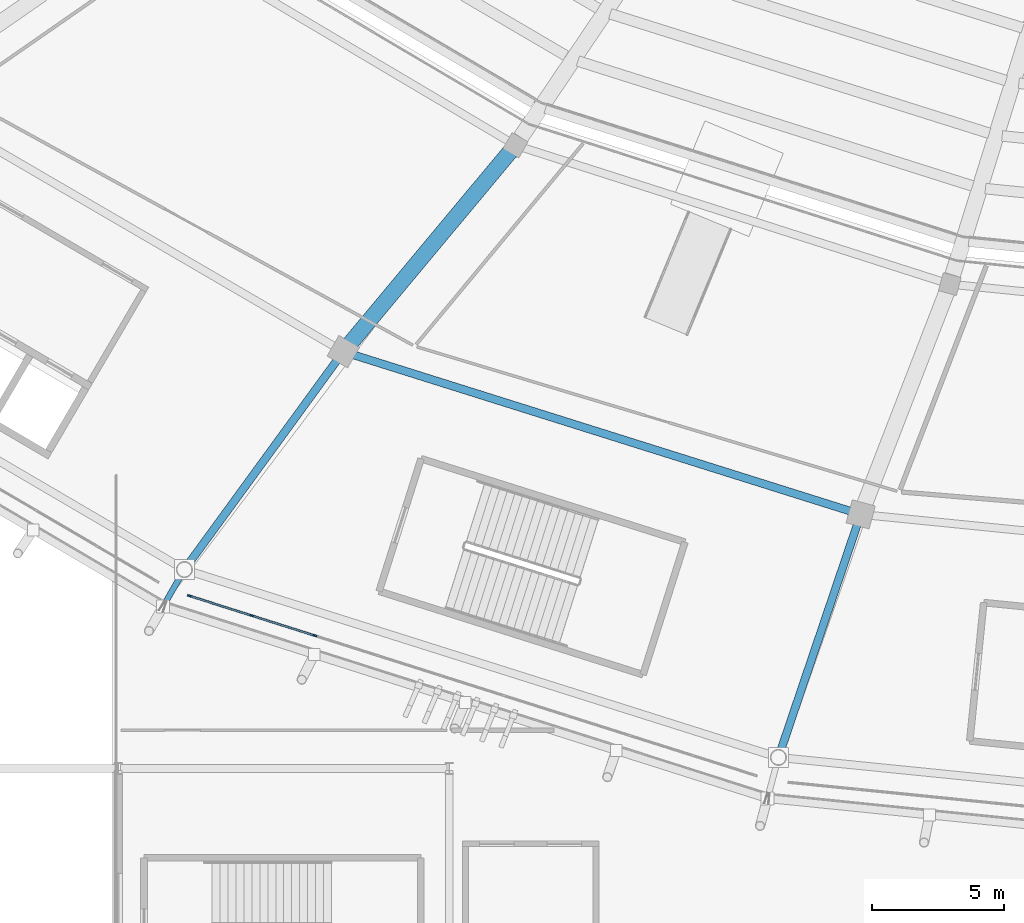
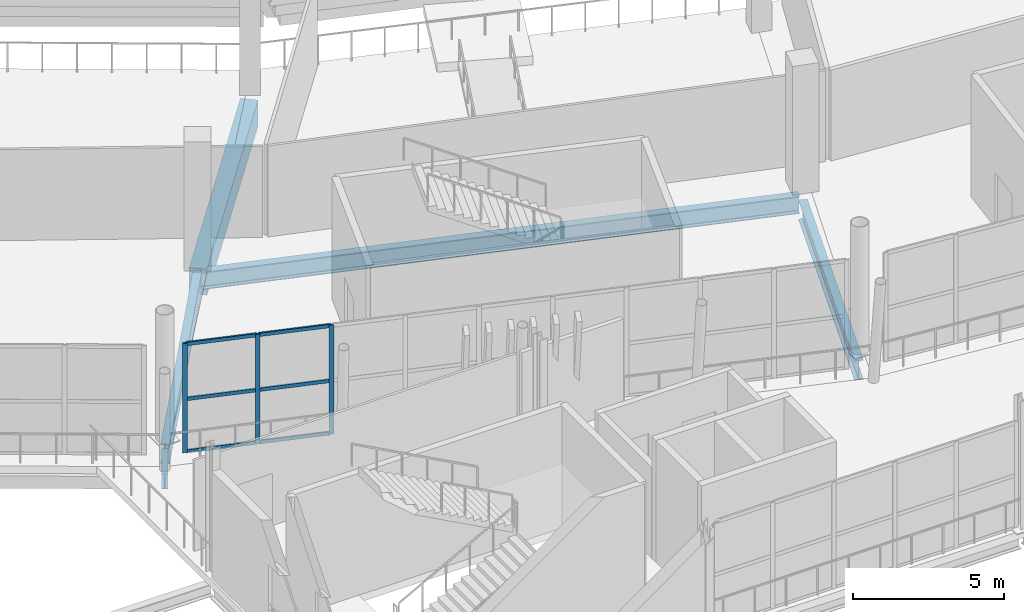
# One storey, part 34 of 178: 9 members, 5 beams, 1 element without a shape of its own.
"""IFC4 building model written with IfcOpenShell, lengths in metres."""

import ifcopenshell
import ifcopenshell.guid

model = None  # the IFC model being written
_history = None  # IfcOwnerHistory: only IFC2X3 demands one
_inside = {}  # id of a spatial element -> (the spatial element, [elements in it])
_under = {}  # id of a project, library or spatial element -> (it, [spatial elements below it])
_declared = {}  # id of a project -> (the project, [libraries it declares])
_typed = {}  # id of a type object -> (the type object, [elements of that type])
_made_of = {}  # id of a material, layer set ... -> (it, [elements and type objects made of it])


def new_model(schema):
    """Start an empty IFC model of exactly this schema.

    Asked for "IFC4X3", IfcOpenShell would pick the latest addendum, in which some entities
    have other attributes; the version numbers below select the first issue.
    IFC2X3 requires an IfcOwnerHistory on every rooted entity: one is made here for all.
    """
    global model, _history
    if schema == "IFC4X3":
        model = ifcopenshell.file(schema_version=(4, 3, 0, 0))
    else:
        model = ifcopenshell.file(schema=schema)
    _inside.clear()
    _under.clear()
    _declared.clear()
    _typed.clear()
    _made_of.clear()
    _history = None
    if model.schema == "IFC2X3":
        org = make("IfcOrganization", Name="unknown")
        user = make(
            "IfcPersonAndOrganization",
            ThePerson=make("IfcPerson", FamilyName="unknown"),
            TheOrganization=org,
        )
        app = make(
            "IfcApplication",
            ApplicationDeveloper=org,
            Version="unknown",
            ApplicationFullName="unknown",
            ApplicationIdentifier="unknown",
        )
        _history = make(
            "IfcOwnerHistory",
            OwningUser=user,
            OwningApplication=app,
            ChangeAction="ADDED",
            CreationDate=0,
        )
    return model


def make(cls, **values):
    """One entity of the class cls with the attributes given. An attribute that is None is left unset."""
    return model.create_entity(
        cls, **{name: value for name, value in values.items() if value is not None}
    )


def rooted(cls, **values):
    """An entity with a GlobalId (a new one), such as an element, a storey or a relation."""
    return make(cls, GlobalId=ifcopenshell.guid.new(), OwnerHistory=_history, **values)


def si_unit(unit_type, name, prefix=None):
    """IfcSIUnit, for example si_unit("LENGTHUNIT", "METRE", prefix="MILLI")."""
    return make("IfcSIUnit", UnitType=unit_type, Prefix=prefix, Name=name)


def assignment(units):
    """IfcUnitAssignment: the units of a project."""
    return None if units is None else make("IfcUnitAssignment", Units=units)


def point(xyz):
    """IfcCartesianPoint."""
    return None if xyz is None else make("IfcCartesianPoint", Coordinates=xyz)


def direction(xyz):
    """IfcDirection."""
    return None if xyz is None else make("IfcDirection", DirectionRatios=xyz)


def frame(location, z_axis=None, x_axis=None):
    """IfcAxis2Placement3D, a coordinate frame: its origin and axes. An axis left out is left unset."""
    return make(
        "IfcAxis2Placement3D",
        Location=point(location),
        Axis=direction(z_axis),
        RefDirection=direction(x_axis),
    )


def frame_2d(location, x_axis=None):
    """IfcAxis2Placement2D, a coordinate frame in the plane: its origin and x axis."""
    return make(
        "IfcAxis2Placement2D", Location=point(location), RefDirection=direction(x_axis)
    )


def origin():
    """The frame at (0, 0, 0) with its axes left unset."""
    return frame((0.0, 0.0, 0.0))


def origin_2d():
    """The frame at (0, 0) in the plane with its x axis left unset."""
    return frame_2d((0.0, 0.0))


def place(relative_to, where):
    """IfcLocalPlacement: puts the frame where relative to a parent placement (None: the world)."""
    return make(
        "IfcLocalPlacement", PlacementRelTo=relative_to, RelativePlacement=where
    )


def context(
    kind, dimensions, precision=None, world=None, true_north=None, identifier=None
):
    """IfcGeometricRepresentationContext, for example the 3D "Model" context."""
    return make(
        "IfcGeometricRepresentationContext",
        ContextIdentifier=identifier,
        ContextType=kind,
        CoordinateSpaceDimension=dimensions,
        Precision=precision,
        WorldCoordinateSystem=world,
        TrueNorth=true_north,
    )


def subcontext(parent, identifier, kind, view, scale=None):
    """IfcGeometricRepresentationSubContext, for example "Body" below "Model"."""
    return make(
        "IfcGeometricRepresentationSubContext",
        ContextIdentifier=identifier,
        ContextType=kind,
        ParentContext=parent,
        TargetScale=scale,
        TargetView=view,
    )


def project(units=None, contexts=None):
    """IfcProject with its units and contexts."""
    return rooted(
        "IfcProject",
        Name="project",
        RepresentationContexts=contexts,
        UnitsInContext=assignment(units),
    )


def spatial(cls, under=None, at=None, **own):
    """A site, building, storey or space (cls), placed at a placement, below another one or the project."""
    s = rooted(cls, ObjectPlacement=at, **own)
    if under is not None:
        _under.setdefault(under.id(), (under, []))[1].append(s)
    return s


def profile(cls, at=None, kind="AREA", **sizes):
    """A parametric profile (cls). Its sizes go by their IFC names, for example OverallWidth=200.0."""
    return make(cls, ProfileType=kind, Position=at, **sizes)


def rectangle(**sizes):
    """IfcRectangleProfileDef."""
    return profile("IfcRectangleProfileDef", **sizes)


def i_section(**sizes):
    """IfcIShapeProfileDef."""
    return profile("IfcIShapeProfileDef", **sizes)


def extrude(swept, where, along, depth):
    """IfcExtrudedAreaSolid: the profile swept, set in the frame where, extruded along a direction by depth."""
    return make(
        "IfcExtrudedAreaSolid",
        SweptArea=swept,
        Position=where,
        ExtrudedDirection=direction(along),
        Depth=depth,
    )


def shape(context_of_items, identifier, shape_type, items):
    """IfcShapeRepresentation: the items that make up one representation, for example the "Body"."""
    return make(
        "IfcShapeRepresentation",
        ContextOfItems=context_of_items,
        RepresentationIdentifier=identifier,
        RepresentationType=shape_type,
        Items=items,
    )


def material(Name=None, Category=None):
    """IfcMaterial."""
    return make("IfcMaterial", Name=Name, Category=Category)


def material_profile(
    of_material, cross_section, Name=None, Category=None, Priority=None
):
    """IfcMaterialProfile: a cross section and its material."""
    return make(
        "IfcMaterialProfile",
        Name=Name,
        Material=of_material,
        Profile=cross_section,
        Priority=Priority,
        Category=Category,
    )


def profile_set(profiles, Name=None, composite=None):
    """IfcMaterialProfileSet."""
    return make(
        "IfcMaterialProfileSet",
        Name=Name,
        MaterialProfiles=profiles,
        CompositeProfile=composite,
    )


def made_of(thing, what):
    """Note that an element or type object is made of a material, layer set ...; save() writes the relation."""
    if what is not None:
        _made_of.setdefault(what.id(), (what, []))[1].append(thing)
    return thing


def type_object(cls, material=None, **own):
    """A type object (cls), such as IfcWallType, which elements share."""
    return made_of(rooted(cls, **own), material)


def element(
    cls,
    number,
    at=None,
    inside=None,
    cuts=None,
    type_object=None,
    material=None,
    context=None,
    identifier="Body",
    shape_type=None,
    held_by="IfcProductDefinitionShape",
    body=None,
    shapes=None,
    **own,
):
    """One element of the class cls, such as IfcWall. Its Tag is "e" and its number.

    at: its placement. inside: the storey or other place that contains it. cuts: it is an
    opening in that element (IfcRelVoidsElement). A single representation is given by context,
    identifier, shape_type and body (its items); several are given by shapes. held_by: the class
    of the entity that holds the representations. save() writes the other relations.
    """
    e = rooted(cls, Tag="e%d" % number, ObjectPlacement=at, **own)
    if body is not None:
        shapes = [shape(context, identifier, shape_type, body)]
    if shapes is not None:
        e.Representation = make(held_by, Representations=shapes)
    if inside is not None:
        _inside.setdefault(inside.id(), (inside, []))[1].append(e)
    if cuts is not None:
        rooted(
            "IfcRelVoidsElement", RelatingBuildingElement=cuts, RelatedOpeningElement=e
        )
    if type_object is not None:
        _typed.setdefault(type_object.id(), (type_object, []))[1].append(e)
    return made_of(e, material)


def aggregate(whole, parts):
    """IfcRelAggregates: a whole, such as a stair, and the parts it consists of."""
    return rooted("IfcRelAggregates", RelatingObject=whole, RelatedObjects=parts)


def save(model, path):
    """Write the relations noted so far, then the file.

    IfcRelAggregates (storeys below a building ...), IfcRelContainedInSpatialStructure (elements
    in a storey), IfcRelDefinesByType, IfcRelAssociatesMaterial and IfcRelDeclares: one each for
    every whole, place, type object, material and project.
    """
    for whole, parts in _under.values():
        aggregate(whole, parts)
    for where, things in _inside.values():
        rooted(
            "IfcRelContainedInSpatialStructure",
            RelatedElements=things,
            RelatingStructure=where,
        )
    for kind, things in _typed.values():
        rooted("IfcRelDefinesByType", RelatedObjects=things, RelatingType=kind)
    for what, things in _made_of.values():
        rooted("IfcRelAssociatesMaterial", RelatedObjects=things, RelatingMaterial=what)
    for by, libraries in _declared.values():
        rooted("IfcRelDeclares", RelatingContext=by, RelatedDefinitions=libraries)
    model.write(path)


model = new_model("IFC4")

# Units and contexts
model_context = context("Model", 3, precision=1e-05, world=origin(), true_north=direction((0.0, 1.0)))
body_context = subcontext(model_context, "Body", "Model", "MODEL_VIEW")
ifc_project = project(units=[si_unit("LENGTHUNIT", "METRE"), si_unit("AREAUNIT", "SQUARE_METRE"), si_unit("VOLUMEUNIT", "CUBIC_METRE"), si_unit("PLANEANGLEUNIT", "RADIAN"), si_unit("MASSUNIT", "GRAM", prefix="KILO")], contexts=[model_context])

# Site, building, storey
site_placement = place(None, origin())
site = spatial("IfcSite", under=ifc_project, at=site_placement, CompositionType="ELEMENT")
building_placement = place(site_placement, origin())
building = spatial("IfcBuilding", under=site, at=building_placement, Name="Zlatoyarsky Gate Stadium", CompositionType="ELEMENT")
storey_placement = place(building_placement, frame((0.0, 0.0, 5.39990234375)))
storey = spatial("IfcBuildingStorey", under=building, at=storey_placement, Name="L01", CompositionType="ELEMENT", Elevation=5.39990234375)

# Curtain wall, members
ifc_material_1 = material(Name="Thermally broken anodised aluminium curtain wall", Category="aluminium")
curtain_wall_type = type_object("IfcCurtainWallType", Name="UNITISED HOSPITALITY GLAZING L01", PredefinedType="USERDEFINED", material=ifc_material_1)
curtain_wall_placement = place(storey_placement, origin())
curtain_wall = element("IfcCurtainWall", 1, at=curtain_wall_placement, inside=storey, type_object=curtain_wall_type, Name="Curtain wall CW-L01-16", ObjectType="UNITISED GLAZING", PredefinedType="USERDEFINED")
ifc_material_2 = material(Name="Anodised aluminium 6063-T6", Category="aluminium")
ifc_material_profile_1 = material_profile(ifc_material_2, rectangle(XDim=0.06494140625, YDim=0.159912109375, at=origin_2d()), Name="ALU 65X160")
ifc_profile_set_1 = profile_set([ifc_material_profile_1], Name="Anodised aluminium 6063-T6")
member_type_1 = type_object("IfcMemberType", Name="ALUMINIUM MULLION 65X160", PredefinedType="MULLION", material=ifc_profile_set_1)
member_1_placement = place(storey_placement, frame((64.6962890625, 17.51904296875, 0.0), z_axis=(0.0, 0.0, 1.0), x_axis=(0.302333944964, 0.953202069722, 0.0)))
member_1 = element("IfcMember", 2, at=member_1_placement, type_object=member_type_1, Name="CW-UG1 mullion 1", PredefinedType="MULLION", context=body_context, shape_type="SweptSolid", body=[
    extrude(rectangle(XDim=0.06494140625, YDim=0.159912109375, at=origin_2d()), origin(), (0.0, 0.0, 1.0), 4.400146484375),
])
member_2_placement = place(storey_placement, frame((67.044189453125, 16.7744140625, 0.0), z_axis=(0.0, 0.0, 1.0), x_axis=(0.302333944964, 0.953202069722, 0.0)))
member_2 = element("IfcMember", 3, at=member_2_placement, type_object=member_type_1, Name="CW-UG1 mullion 2", PredefinedType="MULLION", context=body_context, shape_type="SweptSolid", body=[
    extrude(rectangle(XDim=0.06494140625, YDim=0.159912109375, at=origin_2d()), origin(), (0.0, 0.0, 1.0), 4.400146484375),
])
member_3_placement = place(storey_placement, frame((69.423095703125, 16.019775390625, 0.0), z_axis=(0.0, 0.0, 1.0), x_axis=(0.302333944964, 0.953202069722, 0.0)))
member_3 = element("IfcMember", 4, at=member_3_placement, type_object=member_type_1, Name="CW-UG1 mullion 3", PredefinedType="MULLION", context=body_context, shape_type="SweptSolid", body=[
    extrude(rectangle(XDim=0.06494140625, YDim=0.159912109375, at=origin_2d()), origin(), (0.0, 0.0, 1.0), 4.400146484375),
])
ifc_material_profile_2 = material_profile(ifc_material_2, rectangle(XDim=0.06494140625, YDim=0.139892578125, at=origin_2d()), Name="ALU 65X140")
ifc_profile_set_2 = profile_set([ifc_material_profile_2], Name="Anodised aluminium 6063-T6")
member_type_2 = type_object("IfcMemberType", Name="ALUMINIUM TRANSOM 65X140", PredefinedType="USERDEFINED", material=ifc_profile_set_2)
member_4_placement = place(storey_placement, frame((64.727294921875, 17.50927734375, 0.03271484375), z_axis=(0.953194146276, -0.302358924964, 0.0), x_axis=(0.302358924964, 0.953194146276, 0.0)))
member_4 = element("IfcMember", 5, at=member_4_placement, type_object=member_type_2, Name="CW-UG1 transom 1.1", ObjectType="TRANSOM", PredefinedType="USERDEFINED", context=body_context, shape_type="SweptSolid", body=[
    extrude(rectangle(XDim=0.06494140625, YDim=0.139892578125, at=origin_2d()), origin(), (0.0, 0.0, 1.0), 2.398193359375),
])
member_5_placement = place(storey_placement, frame((64.727294921875, 17.50927734375, 2.150146484375), z_axis=(0.953194146276, -0.302358924964, 0.0), x_axis=(0.302358924964, 0.953194146276, 0.0)))
member_5 = element("IfcMember", 6, at=member_5_placement, type_object=member_type_2, Name="CW-UG1 transom 1.2", ObjectType="TRANSOM", PredefinedType="USERDEFINED", context=body_context, shape_type="SweptSolid", body=[
    extrude(rectangle(XDim=0.06494140625, YDim=0.139892578125, at=origin_2d()), origin(), (0.0, 0.0, 1.0), 2.398193359375),
])
member_6_placement = place(storey_placement, frame((64.727294921875, 17.50927734375, 4.36767578125), z_axis=(0.953194146276, -0.302358924964, 0.0), x_axis=(0.302358924964, 0.953194146276, 0.0)))
member_6 = element("IfcMember", 7, at=member_6_placement, type_object=member_type_2, Name="CW-UG1 transom 1.3", ObjectType="TRANSOM", PredefinedType="USERDEFINED", context=body_context, shape_type="SweptSolid", body=[
    extrude(rectangle(XDim=0.06494140625, YDim=0.139892578125, at=origin_2d()), origin(), (0.0, 0.0, 1.0), 2.398193359375),
])
member_7_placement = place(storey_placement, frame((67.0751953125, 16.7646484375, 0.03271484375), z_axis=(0.953202400963, -0.302332900622, 0.0), x_axis=(0.302332900622, 0.953202400963, 0.0)))
member_7 = element("IfcMember", 8, at=member_7_placement, type_object=member_type_2, Name="CW-UG1 transom 2.1", ObjectType="TRANSOM", PredefinedType="USERDEFINED", context=body_context, shape_type="SweptSolid", body=[
    extrude(rectangle(XDim=0.06494140625, YDim=0.139892578125, at=origin_2d()), origin(), (0.0, 0.0, 1.0), 2.4306640625),
])
member_8_placement = place(storey_placement, frame((67.0751953125, 16.7646484375, 2.150146484375), z_axis=(0.953202400963, -0.302332900622, 0.0), x_axis=(0.302332900622, 0.953202400963, 0.0)))
member_8 = element("IfcMember", 9, at=member_8_placement, type_object=member_type_2, Name="CW-UG1 transom 2.2", ObjectType="TRANSOM", PredefinedType="USERDEFINED", context=body_context, shape_type="SweptSolid", body=[
    extrude(rectangle(XDim=0.06494140625, YDim=0.139892578125, at=origin_2d()), origin(), (0.0, 0.0, 1.0), 2.4306640625),
])
member_9_placement = place(storey_placement, frame((67.0751953125, 16.7646484375, 4.36767578125), z_axis=(0.953202400963, -0.302332900622, 0.0), x_axis=(0.302332900622, 0.953202400963, 0.0)))
member_9 = element("IfcMember", 10, at=member_9_placement, type_object=member_type_2, Name="CW-UG1 transom 2.3", ObjectType="TRANSOM", PredefinedType="USERDEFINED", context=body_context, shape_type="SweptSolid", body=[
    extrude(rectangle(XDim=0.06494140625, YDim=0.139892578125, at=origin_2d()), origin(), (0.0, 0.0, 1.0), 2.4306640625),
])
aggregate(curtain_wall, [member_1, member_2, member_3, member_4, member_5, member_6, member_7, member_8, member_9])

# Beams
ifc_material_3 = material(Name="Concrete C40/50", Category="concrete")
ifc_material_profile_3 = material_profile(ifc_material_3, rectangle(XDim=0.60009765625, YDim=1.050048828125, at=origin_2d()), Name="RC GIRDER 600X1050")
ifc_profile_set_3 = profile_set([ifc_material_profile_3], Name="Concrete C40/50")
beam_type_1 = type_object("IfcBeamType", Name="CONCRETE PRIMARY GIRDER 600X1050", PredefinedType="T_BEAM", material=ifc_profile_set_3)
beam_1_placement = place(storey_placement, frame((76.923095703125, 34.44140625, -0.824951171875), z_axis=(-0.640460635814, -0.767990998627, 0.0), x_axis=(0.767990998627, -0.640460635814, 0.0)))
element("IfcBeam", 11, at=beam_1_placement, inside=storey, type_object=beam_type_1, Name="Beam G-RC105 BM-L01-RAB-16", PredefinedType="T_BEAM", context=body_context, shape_type="SweptSolid", body=[
    extrude(rectangle(XDim=0.60009765625, YDim=1.050048828125, at=origin_2d()), origin(), (0.0, 0.0, 1.0), 9.90869140625),
])
ifc_material_4 = material(Name="Steel S355", Category="steel")
ifc_material_profile_4 = material_profile(ifc_material_4, i_section(OverallWidth=0.219970703125, OverallDepth=0.60009765625, WebThickness=0.011962890625, FlangeThickness=0.01904296875, FilletRadius=0.02392578125, at=origin_2d()), Name="IPE 600")
ifc_profile_set_4 = profile_set([ifc_material_profile_4], Name="Steel S355")
beam_type_2 = type_object("IfcBeamType", Name="STEEL CANTILEVER FLOOR BEAM IPE 600", PredefinedType="BEAM", material=ifc_profile_set_4)
beam_2_placement = place(storey_placement, frame((64.43994140625, 18.408203125, -0.599853515625), z_axis=(-0.499949632511, -0.866054481515, 0.0), x_axis=(0.866054481515, -0.499949632511, 0.0)))
element("IfcBeam", 12, at=beam_2_placement, inside=storey, type_object=beam_type_2, Name="Beam B-IPE600 BM-L01-OUT-16", PredefinedType="BEAM", context=body_context, shape_type="SweptSolid", body=[
    extrude(i_section(OverallWidth=0.219970703125, OverallDepth=0.60009765625, WebThickness=0.011962890625, FlangeThickness=0.01904296875, FilletRadius=0.02392578125, at=origin_2d()), origin(), (0.0, 0.0, 1.0), 1.488525390625),
])
ifc_material_profile_5 = material_profile(ifc_material_4, i_section(OverallWidth=0.300048828125, OverallDepth=0.699951171875, WebThickness=0.01708984375, FlangeThickness=0.031982421875, FilletRadius=0.027099609375, at=origin_2d()), Name="HEB 700")
ifc_profile_set_5 = profile_set([ifc_material_profile_5], Name="Steel S355")
beam_type_3 = type_object("IfcBeamType", Name="STEEL PRIMARY GIRDER HEB 700", PredefinedType="BEAM", material=ifc_profile_set_5)
beam_3_placement = place(storey_placement, frame((70.614501953125, 26.703369140625, -0.64990234375), z_axis=(0.953937507984, -0.300005384719, 0.0), x_axis=(0.300005384719, 0.953937507984, 0.0)))
element("IfcBeam", 13, at=beam_3_placement, inside=storey, type_object=beam_type_3, Name="Beam G-HEB700 BM-L01-CRB-16", PredefinedType="BEAM", context=body_context, shape_type="SweptSolid", body=[
    extrude(i_section(OverallWidth=0.300048828125, OverallDepth=0.699951171875, WebThickness=0.01708984375, FlangeThickness=0.031982421875, FilletRadius=0.027099609375, at=origin_2d()), origin(), (0.0, 0.0, 1.0), 20.239013671875),
])
ifc_material_profile_6 = material_profile(ifc_material_4, i_section(OverallWidth=0.300048828125, OverallDepth=0.800048828125, WebThickness=0.017578125, FlangeThickness=0.032958984375, FilletRadius=0.030029296875, at=origin_2d()), Name="HEB 800")
ifc_profile_set_6 = profile_set([ifc_material_profile_6], Name="Steel S355")
beam_type_4 = type_object("IfcBeamType", Name="STEEL PRIMARY GIRDER HEB 800", PredefinedType="BEAM", material=ifc_profile_set_6)
beam_4_placement = place(storey_placement, frame((70.42919921875, 26.642333984375, -0.699951171875), z_axis=(-0.589228266457, -0.807966614415, 0.0), x_axis=(0.807966614415, -0.589228266457, 0.0)))
element("IfcBeam", 14, at=beam_4_placement, inside=storey, type_object=beam_type_4, Name="Beam G-HEB800 BM-L01-RBC-16", PredefinedType="BEAM", context=body_context, shape_type="SweptSolid", body=[
    extrude(i_section(OverallWidth=0.300048828125, OverallDepth=0.800048828125, WebThickness=0.017578125, FlangeThickness=0.032958984375, FilletRadius=0.030029296875, at=origin_2d()), origin(), (0.0, 0.0, 1.0), 9.9423828125),
])
beam_5_placement = place(storey_placement, frame((89.997314453125, 20.48193359375, -0.85986328125), z_axis=(-0.320612225581, -0.947210536686, 0.0), x_axis=(0.947210536686, -0.320612225581, 0.0)))
element("IfcBeam", 15, at=beam_5_placement, inside=storey, type_object=beam_type_4, Name="Beam G-HEB800 BM-L01-RBC-17", PredefinedType="BEAM", context=body_context, shape_type="SweptSolid", body=[
    extrude(i_section(OverallWidth=0.300048828125, OverallDepth=0.800048828125, WebThickness=0.017578125, FlangeThickness=0.032958984375, FilletRadius=0.030029296875, at=origin_2d()), origin(), (0.0, 0.0, 1.0), 9.44775390625),
])

save(model, "model.ifc")
